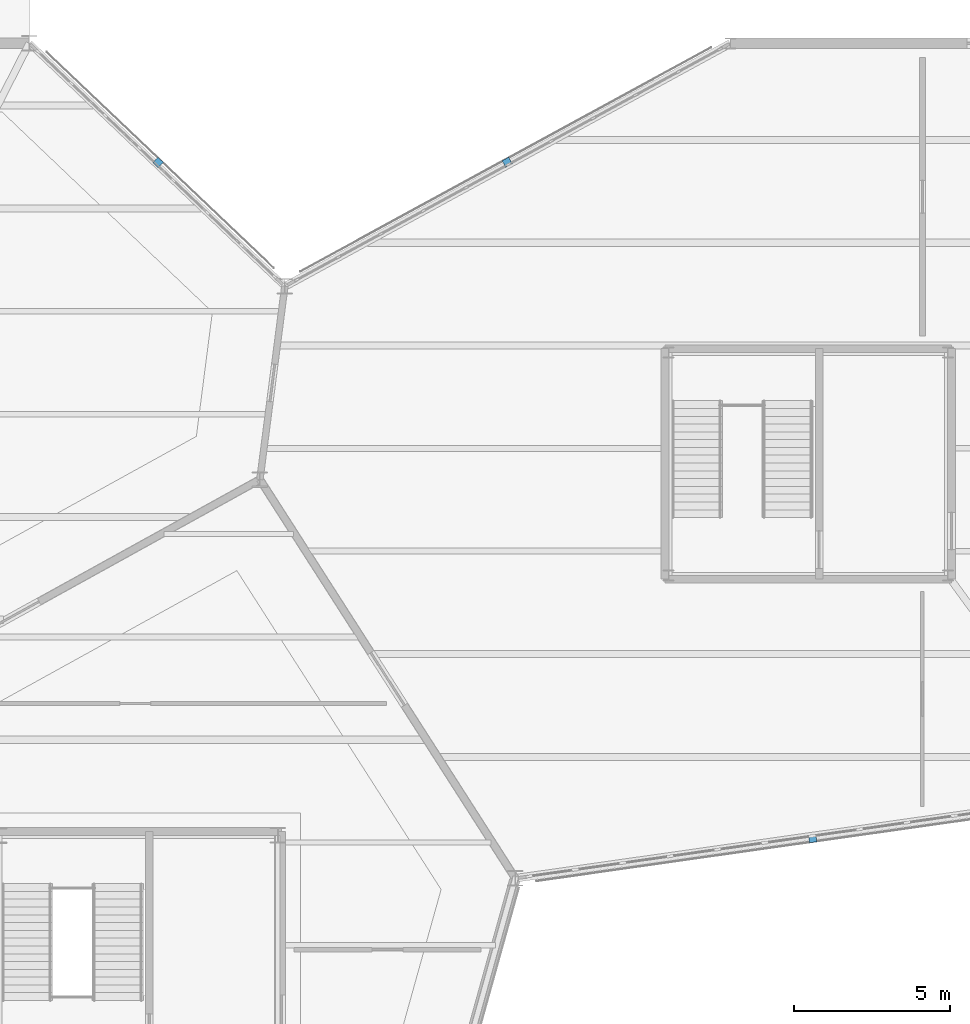
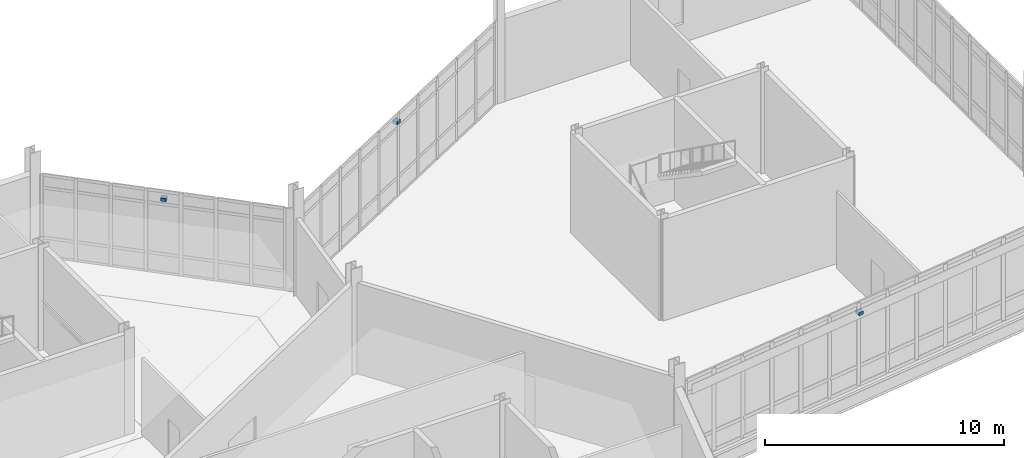
# One storey, part 108 of 113: 3 discrete accessories.
"""IFC4 building model written with IfcOpenShell, lengths in metres."""

from ifc_helpers import new_model, si_unit, direction, frame, origin, origin_2d, place, context, subcontext, project, spatial, rectangle, extrude, material, type_object, element, save


model = new_model("IFC4")

# Units and contexts
model_context = context("Model", 3, precision=1e-05, world=origin(), true_north=direction((0.0, 1.0)))
body_context = subcontext(model_context, "Body", "Model", "MODEL_VIEW")
ifc_project = project(units=[si_unit("LENGTHUNIT", "METRE"), si_unit("AREAUNIT", "SQUARE_METRE"), si_unit("VOLUMEUNIT", "CUBIC_METRE"), si_unit("PLANEANGLEUNIT", "RADIAN"), si_unit("MASSUNIT", "GRAM", prefix="KILO")], contexts=[model_context])

# Site, building, storey
site_placement = place(None, origin())
site = spatial("IfcSite", under=ifc_project, at=site_placement, CompositionType="ELEMENT")
building_placement = place(site_placement, origin())
building = spatial("IfcBuilding", under=site, at=building_placement, Name="Tameran Prism Museum", CompositionType="ELEMENT")
storey_placement = place(building_placement, origin())
storey = spatial("IfcBuildingStorey", under=building, at=storey_placement, Name="L00", CompositionType="ELEMENT", Elevation=0.0)

# Discrete accessories
ifc_material = material(Name="Galvanized Steel Grade 350 (350 MPa)", Category="steel")
discrete_accessory_type = type_object("IfcDiscreteAccessoryType", Name="DA-BRK-STL", PredefinedType="BRACKET", material=ifc_material)
for number, where, z_axis, x_axis, name in (
    (1, (131.633056640625, 108.177978515625, 3.68994140625), (0.0, 0.0, 1.0), (0.724532846102, -0.689240273721, 0.0), "Facade Sunshade Bracket BK-002"),
    (2, (152.64111328125, 86.47509765625, 3.68994140625), (0.0, 0.0, 1.0), (-0.990048234542, -0.140728438067, 0.0), "Facade Sunshade Bracket BK-003"),
    (3, (142.839111328125, 108.18408203125, 3.68994140625), (0.0, 0.0, 1.0), (0.877899414566, 0.478845087586, 0.0), "Facade Sunshade Bracket BK-004"),
):
    element("IfcDiscreteAccessory", number, at=place(storey_placement, frame(where, z_axis=z_axis, x_axis=x_axis)), inside=storey, type_object=discrete_accessory_type, Name=name, PredefinedType="BRACKET", context=body_context, shape_type="SweptSolid", body=[
        extrude(rectangle(XDim=0.239990234375, YDim=0.239990234375, at=origin_2d()), origin(), (0.0, 0.0, 1.0), 0.159912109375),
    ])

save(model, "model.ifc")
